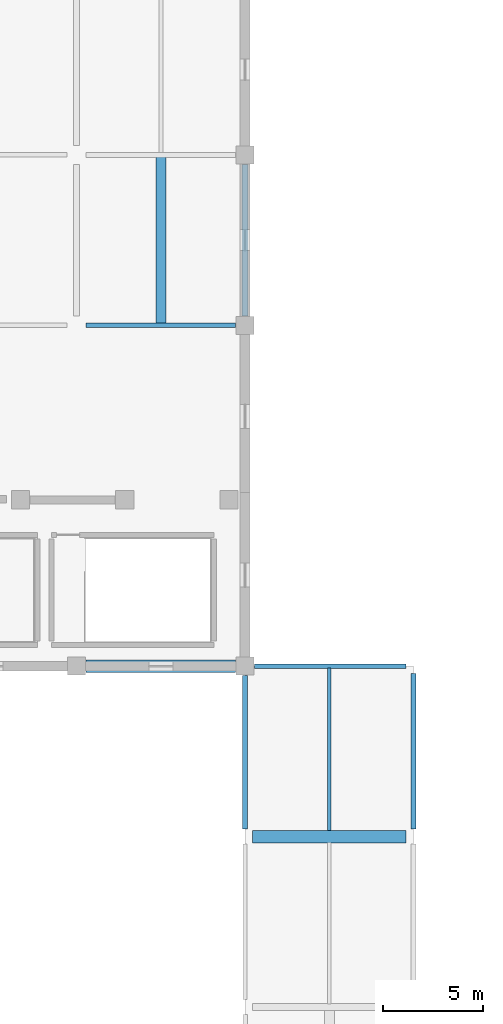
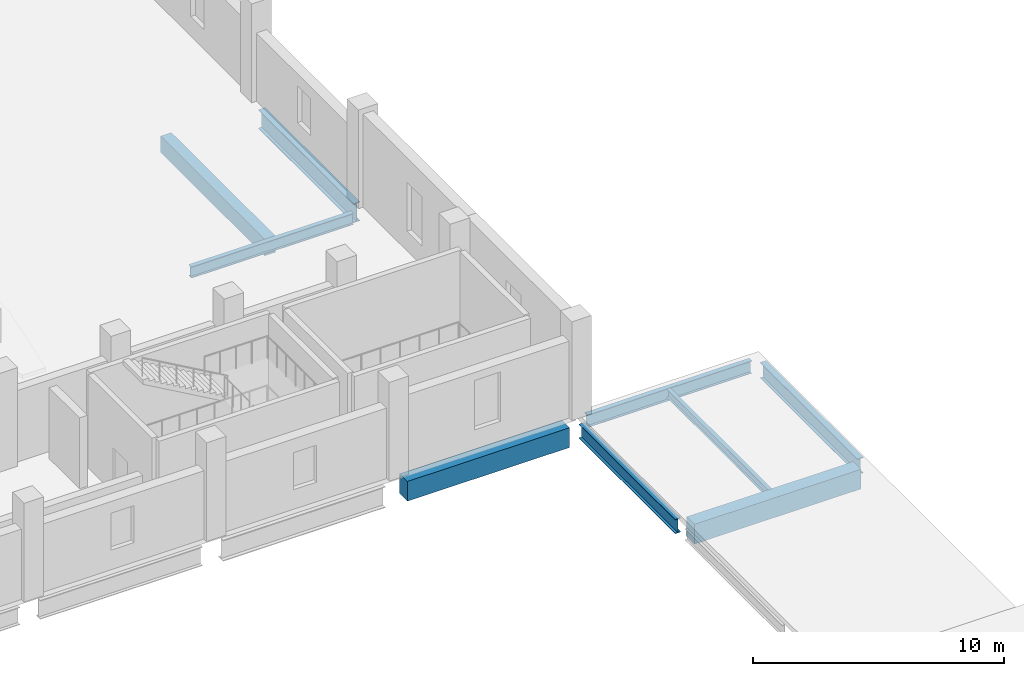
# One storey, part 63 of 117: 9 beams.
"""IFC4 building model written with IfcOpenShell, lengths in metres."""

from ifc_helpers import new_model, si_unit, direction, frame, origin, origin_2d, place, context, subcontext, project, spatial, rectangle, i_section, extrude, material, material_profile, profile_set, type_object, element, save


model = new_model("IFC4")

# Units and contexts
model_context = context("Model", 3, precision=1e-05, world=origin(), true_north=direction((0.0, 1.0)))
body_context = subcontext(model_context, "Body", "Model", "MODEL_VIEW")
ifc_project = project(units=[si_unit("LENGTHUNIT", "METRE"), si_unit("AREAUNIT", "SQUARE_METRE"), si_unit("VOLUMEUNIT", "CUBIC_METRE"), si_unit("PLANEANGLEUNIT", "RADIAN"), si_unit("MASSUNIT", "GRAM", prefix="KILO")], contexts=[model_context])

# Site, building, storey
site_placement = place(None, origin())
site = spatial("IfcSite", under=ifc_project, at=site_placement, CompositionType="ELEMENT")
building_placement = place(site_placement, origin())
building = spatial("IfcBuilding", under=site, at=building_placement, Name="Solvento Point Concert Hall", CompositionType="ELEMENT")
storey_placement = place(building_placement, frame((0.0, 0.0, 5.39990234375)))
storey = spatial("IfcBuildingStorey", under=building, at=storey_placement, Name="L01", CompositionType="ELEMENT", Elevation=5.39990234375)

# Beams
ifc_material_1 = material(Name="Concrete C35/45", Category="concrete")
ifc_material_profile_1 = material_profile(ifc_material_1, rectangle(XDim=0.5, YDim=0.800048828125, at=origin_2d()), Name="RC-BM-500X800")
ifc_profile_set_1 = profile_set([ifc_material_profile_1], Name="Concrete C35/45")
beam_type_1 = type_object("IfcBeamType", Name="Beam_RC_500x800", PredefinedType="BEAM", material=ifc_profile_set_1)
beam_1_placement = place(storey_placement, frame((129.0, 59.592041015625, -0.823974609375), z_axis=(0.0, 1.0, 0.0), x_axis=(-1.0, 0.0, 0.0)))
element("IfcBeam", 1, at=beam_1_placement, inside=storey, type_object=beam_type_1, Name="Secondary floor joist B-63 L01", PredefinedType="BEAM", context=body_context, shape_type="SweptSolid", body=[
    extrude(rectangle(XDim=0.5, YDim=0.800048828125, at=origin_2d()), origin(), (0.0, 0.0, 1.0), 8.294921875),
])
ifc_material_2 = material(Name="Structural Steel ASTM A992 Grade 50", Category="steel")
ifc_material_profile_2 = material_profile(ifc_material_2, i_section(OverallWidth=0.214111328125, OverallDepth=0.549072265625, WebThickness=0.0146484375, FlangeThickness=0.023681640625, at=origin_2d()), Name="W21X93")
ifc_profile_set_2 = profile_set([ifc_material_profile_2], Name="Structural Steel ASTM A992 Grade 50")
beam_type_2 = type_object("IfcBeamType", Name="Beam_W21X93", PredefinedType="BEAM", material=ifc_profile_set_2)
beam_2_placement = place(storey_placement, frame((125.26904296875, 59.5, -0.698486328125), z_axis=(1.0, 0.0, 0.0), x_axis=(0.0, 1.0, 0.0)))
element("IfcBeam", 2, at=beam_2_placement, inside=storey, type_object=beam_type_2, Name="Primary girder B-48 L01", PredefinedType="BEAM", context=body_context, shape_type="SweptSolid", body=[
    extrude(i_section(OverallWidth=0.214111328125, OverallDepth=0.549072265625, WebThickness=0.0146484375, FlangeThickness=0.023681640625, at=origin_2d()), origin(), (0.0, 0.0, 1.0), 7.4619140625),
])
ifc_material_3 = material(Name="Structural Steel ASTM A992 Grade 50", Category="steel")
ifc_material_profile_3 = material_profile(ifc_material_3, i_section(OverallWidth=0.228515625, OverallDepth=0.60791015625, WebThickness=0.01123046875, FlangeThickness=0.017333984375, at=origin_2d()), Name="W24X76")
ifc_profile_set_3 = profile_set([ifc_material_profile_3], Name="Structural Steel ASTM A992 Grade 50")
beam_type_3 = type_object("IfcBeamType", Name="Beam_W24X76", PredefinedType="BEAM", material=ifc_profile_set_3)
beam_3_placement = place(storey_placement, frame((133.6689453125, 42.5, -0.56787109375), z_axis=(1.0, 0.0, 0.0), x_axis=(0.0, 1.0, 0.0)))
element("IfcBeam", 3, at=beam_3_placement, inside=storey, type_object=beam_type_3, Name="Primary girder B-42 L01", PredefinedType="BEAM", context=body_context, shape_type="SweptSolid", body=[
    extrude(i_section(OverallWidth=0.228515625, OverallDepth=0.60791015625, WebThickness=0.01123046875, FlangeThickness=0.017333984375, at=origin_2d()), origin(), (0.0, 0.0, 1.0), 7.56201171875),
])
ifc_material_4 = material(Name="Concrete C35/45", Category="concrete")
ifc_material_profile_4 = material_profile(ifc_material_4, rectangle(XDim=0.6201171875, YDim=0.9599609375, at=origin_2d()), Name="RC-BM-620X960")
ifc_profile_set_4 = profile_set([ifc_material_profile_4], Name="Concrete C35/45")
beam_type_4 = type_object("IfcBeamType", Name="Girder_RC_620x960", PredefinedType="USERDEFINED", material=ifc_profile_set_4)
beam_4_placement = place(storey_placement, frame((133.569091796875, 34.0, -0.743896484375), z_axis=(1.0, 0.0, 0.0), x_axis=(0.0, 1.0, 0.0)))
element("IfcBeam", 4, at=beam_4_placement, inside=storey, type_object=beam_type_4, Name="Primary girder B-69 L01", ObjectType="GIRDER", PredefinedType="USERDEFINED", context=body_context, shape_type="SweptSolid", body=[
    extrude(rectangle(XDim=0.6201171875, YDim=0.9599609375, at=origin_2d()), origin(), (0.0, 0.0, 1.0), 7.661865234375),
])
beam_5_placement = place(storey_placement, frame((125.26904296875, 42.5, -0.90380859375), z_axis=(1.0, 0.0, 0.0), x_axis=(0.0, 1.0, 0.0)))
element("IfcBeam", 5, at=beam_5_placement, inside=storey, type_object=beam_type_4, Name="Primary girder B-69 L01", ObjectType="GIRDER", PredefinedType="USERDEFINED", context=body_context, shape_type="SweptSolid", body=[
    extrude(rectangle(XDim=0.6201171875, YDim=0.9599609375, at=origin_2d()), origin(), (0.0, 0.0, 1.0), 7.4619140625),
])
ifc_material_5 = material(Name="Structural Steel ASTM A992 Grade 50", Category="steel")
ifc_material_profile_5 = material_profile(ifc_material_5, i_section(OverallWidth=0.256103515625, OverallDepth=0.693115234375, WebThickness=0.014404296875, FlangeThickness=0.023681640625, at=origin_2d()), Name="W27X114")
ifc_profile_set_5 = profile_set([ifc_material_profile_5], Name="Structural Steel ASTM A992 Grade 50")
beam_type_5 = type_object("IfcBeamType", Name="Girder_W27X114", PredefinedType="USERDEFINED", material=ifc_profile_set_5)
beam_6_placement = place(storey_placement, frame((133.199951171875, 34.368896484375, -0.6103515625), z_axis=(0.0, 1.0, 0.0), x_axis=(-1.0, 0.0, 0.0)))
element("IfcBeam", 6, at=beam_6_placement, inside=storey, type_object=beam_type_5, Name="Primary girder B-23 L01", ObjectType="GIRDER", PredefinedType="USERDEFINED", context=body_context, shape_type="SweptSolid", body=[
    extrude(i_section(OverallWidth=0.256103515625, OverallDepth=0.693115234375, WebThickness=0.014404296875, FlangeThickness=0.023681640625, at=origin_2d()), origin(), (0.0, 0.0, 1.0), 7.662109375),
])
ifc_material_6 = material(Name="Structural Steel ASTM A992 Grade 50", Category="steel")
ifc_material_profile_6 = material_profile(ifc_material_6, i_section(OverallWidth=0.26806640625, OverallDepth=0.77001953125, WebThickness=0.015625, FlangeThickness=0.025390625, at=origin_2d()), Name="W30X132")
ifc_profile_set_6 = profile_set([ifc_material_profile_6], Name="Structural Steel ASTM A992 Grade 50")
beam_type_6 = type_object("IfcBeamType", Name="Girder_W30X132", PredefinedType="USERDEFINED", material=ifc_profile_set_6)
beam_7_placement = place(storey_placement, frame((141.60009765625, 34.368896484375, -0.64892578125), z_axis=(0.0, 1.0, 0.0), x_axis=(-1.0, 0.0, 0.0)))
element("IfcBeam", 7, at=beam_7_placement, inside=storey, type_object=beam_type_6, Name="Primary girder B-68 L01", ObjectType="GIRDER", PredefinedType="USERDEFINED", context=body_context, shape_type="SweptSolid", body=[
    extrude(i_section(OverallWidth=0.26806640625, OverallDepth=0.77001953125, WebThickness=0.015625, FlangeThickness=0.025390625, at=origin_2d()), origin(), (0.0, 0.0, 1.0), 7.76220703125),
])
ifc_material_7 = material(Name="Structural Steel ASTM A992 Grade 50", Category="steel")
ifc_material_profile_7 = material_profile(ifc_material_7, i_section(OverallWidth=0.3076171875, OverallDepth=0.927001953125, WebThickness=0.019287109375, FlangeThickness=0.031982421875, at=origin_2d()), Name="W36X194")
ifc_profile_set_7 = profile_set([ifc_material_profile_7], Name="Structural Steel ASTM A992 Grade 50")
beam_type_7 = type_object("IfcBeamType", Name="Girder_W36X194", PredefinedType="USERDEFINED", material=ifc_profile_set_7)
beam_8_placement = place(storey_placement, frame((133.199951171875, 59.968994140625, -0.887451171875), z_axis=(0.0, 1.0, 0.0), x_axis=(-1.0, 0.0, 0.0)))
element("IfcBeam", 8, at=beam_8_placement, inside=storey, type_object=beam_type_7, Name="Primary girder B-61 L01", ObjectType="GIRDER", PredefinedType="USERDEFINED", context=body_context, shape_type="SweptSolid", body=[
    extrude(i_section(OverallWidth=0.3076171875, OverallDepth=0.927001953125, WebThickness=0.019287109375, FlangeThickness=0.031982421875, at=origin_2d()), origin(), (0.0, 0.0, 1.0), 7.56201171875),
])
ifc_material_8 = material(Name="Structural Steel ASTM A992 Grade 50", Category="steel")
ifc_material_profile_8 = material_profile(ifc_material_8, i_section(OverallWidth=0.177490234375, OverallDepth=0.403076171875, WebThickness=0.007568359375, FlangeThickness=0.010986328125, at=origin_2d()), Name="W16X36")
ifc_profile_set_8 = profile_set([ifc_material_profile_8], Name="Structural Steel ASTM A992 Grade 50")
beam_type_8 = type_object("IfcBeamType", Name="Joist_W16X36", PredefinedType="JOIST", material=ifc_profile_set_8)
beam_9_placement = place(storey_placement, frame((137.39990234375, 34.294921875, -0.46533203125), z_axis=(0.0, 1.0, 0.0), x_axis=(-1.0, 0.0, 0.0)))
element("IfcBeam", 9, at=beam_9_placement, inside=storey, type_object=beam_type_8, Name="Secondary floor joist B-30 L01", PredefinedType="JOIST", context=body_context, shape_type="SweptSolid", body=[
    extrude(i_section(OverallWidth=0.177490234375, OverallDepth=0.403076171875, WebThickness=0.007568359375, FlangeThickness=0.010986328125, at=origin_2d()), origin(), (0.0, 0.0, 1.0), 8.10595703125),
])

save(model, "model.ifc")
